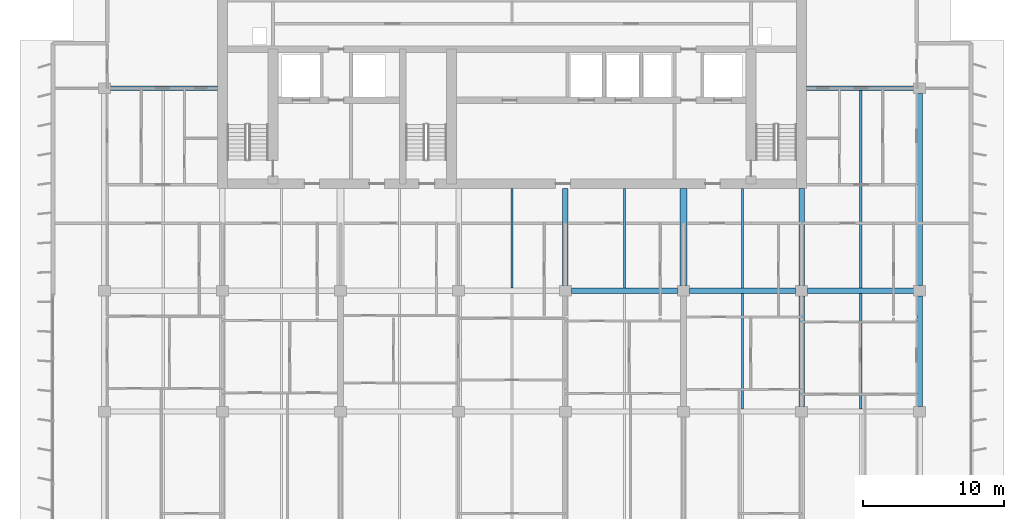
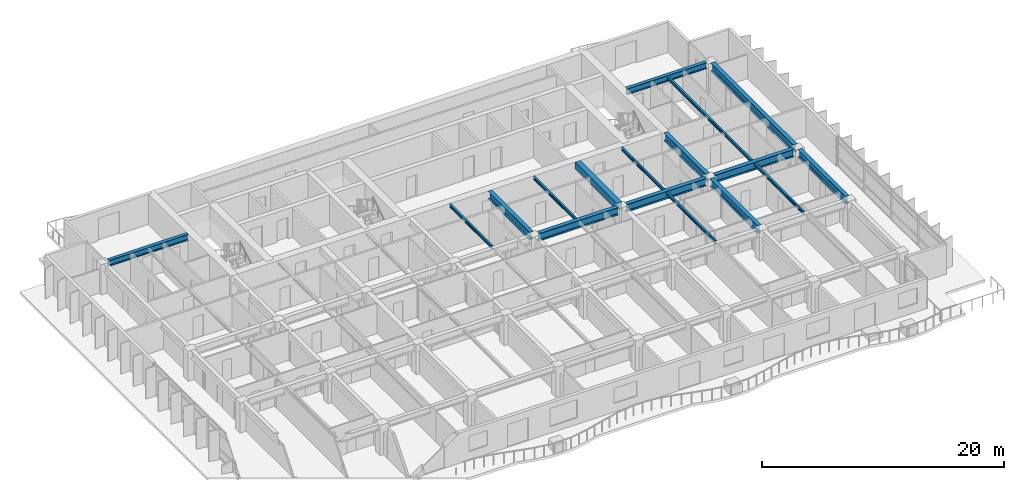
# One storey, part 4 of 17: 17 beams.
"""IFC4 building model written with IfcOpenShell, lengths in metres."""

import ifcopenshell
import ifcopenshell.guid

model = None  # the IFC model being written
_history = None  # IfcOwnerHistory: only IFC2X3 demands one
_inside = {}  # id of a spatial element -> (the spatial element, [elements in it])
_under = {}  # id of a project, library or spatial element -> (it, [spatial elements below it])
_declared = {}  # id of a project -> (the project, [libraries it declares])
_typed = {}  # id of a type object -> (the type object, [elements of that type])
_made_of = {}  # id of a material, layer set ... -> (it, [elements and type objects made of it])


def new_model(schema):
    """Start an empty IFC model of exactly this schema.

    Asked for "IFC4X3", IfcOpenShell would pick the latest addendum, in which some entities
    have other attributes; the version numbers below select the first issue.
    IFC2X3 requires an IfcOwnerHistory on every rooted entity: one is made here for all.
    """
    global model, _history
    if schema == "IFC4X3":
        model = ifcopenshell.file(schema_version=(4, 3, 0, 0))
    else:
        model = ifcopenshell.file(schema=schema)
    _inside.clear()
    _under.clear()
    _declared.clear()
    _typed.clear()
    _made_of.clear()
    _history = None
    if model.schema == "IFC2X3":
        org = make("IfcOrganization", Name="unknown")
        user = make(
            "IfcPersonAndOrganization",
            ThePerson=make("IfcPerson", FamilyName="unknown"),
            TheOrganization=org,
        )
        app = make(
            "IfcApplication",
            ApplicationDeveloper=org,
            Version="unknown",
            ApplicationFullName="unknown",
            ApplicationIdentifier="unknown",
        )
        _history = make(
            "IfcOwnerHistory",
            OwningUser=user,
            OwningApplication=app,
            ChangeAction="ADDED",
            CreationDate=0,
        )
    return model


def make(cls, **values):
    """One entity of the class cls with the attributes given. An attribute that is None is left unset."""
    return model.create_entity(
        cls, **{name: value for name, value in values.items() if value is not None}
    )


def rooted(cls, **values):
    """An entity with a GlobalId (a new one), such as an element, a storey or a relation."""
    return make(cls, GlobalId=ifcopenshell.guid.new(), OwnerHistory=_history, **values)


def si_unit(unit_type, name, prefix=None):
    """IfcSIUnit, for example si_unit("LENGTHUNIT", "METRE", prefix="MILLI")."""
    return make("IfcSIUnit", UnitType=unit_type, Prefix=prefix, Name=name)


def assignment(units):
    """IfcUnitAssignment: the units of a project."""
    return None if units is None else make("IfcUnitAssignment", Units=units)


def point(xyz):
    """IfcCartesianPoint."""
    return None if xyz is None else make("IfcCartesianPoint", Coordinates=xyz)


def direction(xyz):
    """IfcDirection."""
    return None if xyz is None else make("IfcDirection", DirectionRatios=xyz)


def frame(location, z_axis=None, x_axis=None):
    """IfcAxis2Placement3D, a coordinate frame: its origin and axes. An axis left out is left unset."""
    return make(
        "IfcAxis2Placement3D",
        Location=point(location),
        Axis=direction(z_axis),
        RefDirection=direction(x_axis),
    )


def frame_2d(location, x_axis=None):
    """IfcAxis2Placement2D, a coordinate frame in the plane: its origin and x axis."""
    return make(
        "IfcAxis2Placement2D", Location=point(location), RefDirection=direction(x_axis)
    )


def origin():
    """The frame at (0, 0, 0) with its axes left unset."""
    return frame((0.0, 0.0, 0.0))


def origin_2d():
    """The frame at (0, 0) in the plane with its x axis left unset."""
    return frame_2d((0.0, 0.0))


def place(relative_to, where):
    """IfcLocalPlacement: puts the frame where relative to a parent placement (None: the world)."""
    return make(
        "IfcLocalPlacement", PlacementRelTo=relative_to, RelativePlacement=where
    )


def context(
    kind, dimensions, precision=None, world=None, true_north=None, identifier=None
):
    """IfcGeometricRepresentationContext, for example the 3D "Model" context."""
    return make(
        "IfcGeometricRepresentationContext",
        ContextIdentifier=identifier,
        ContextType=kind,
        CoordinateSpaceDimension=dimensions,
        Precision=precision,
        WorldCoordinateSystem=world,
        TrueNorth=true_north,
    )


def subcontext(parent, identifier, kind, view, scale=None):
    """IfcGeometricRepresentationSubContext, for example "Body" below "Model"."""
    return make(
        "IfcGeometricRepresentationSubContext",
        ContextIdentifier=identifier,
        ContextType=kind,
        ParentContext=parent,
        TargetScale=scale,
        TargetView=view,
    )


def project(units=None, contexts=None):
    """IfcProject with its units and contexts."""
    return rooted(
        "IfcProject",
        Name="project",
        RepresentationContexts=contexts,
        UnitsInContext=assignment(units),
    )


def spatial(cls, under=None, at=None, **own):
    """A site, building, storey or space (cls), placed at a placement, below another one or the project."""
    s = rooted(cls, ObjectPlacement=at, **own)
    if under is not None:
        _under.setdefault(under.id(), (under, []))[1].append(s)
    return s


def profile(cls, at=None, kind="AREA", **sizes):
    """A parametric profile (cls). Its sizes go by their IFC names, for example OverallWidth=200.0."""
    return make(cls, ProfileType=kind, Position=at, **sizes)


def rectangle(**sizes):
    """IfcRectangleProfileDef."""
    return profile("IfcRectangleProfileDef", **sizes)


def i_section(**sizes):
    """IfcIShapeProfileDef."""
    return profile("IfcIShapeProfileDef", **sizes)


def extrude(swept, where, along, depth):
    """IfcExtrudedAreaSolid: the profile swept, set in the frame where, extruded along a direction by depth."""
    return make(
        "IfcExtrudedAreaSolid",
        SweptArea=swept,
        Position=where,
        ExtrudedDirection=direction(along),
        Depth=depth,
    )


def shape(context_of_items, identifier, shape_type, items):
    """IfcShapeRepresentation: the items that make up one representation, for example the "Body"."""
    return make(
        "IfcShapeRepresentation",
        ContextOfItems=context_of_items,
        RepresentationIdentifier=identifier,
        RepresentationType=shape_type,
        Items=items,
    )


def material(Name=None, Category=None):
    """IfcMaterial."""
    return make("IfcMaterial", Name=Name, Category=Category)


def material_profile(
    of_material, cross_section, Name=None, Category=None, Priority=None
):
    """IfcMaterialProfile: a cross section and its material."""
    return make(
        "IfcMaterialProfile",
        Name=Name,
        Material=of_material,
        Profile=cross_section,
        Priority=Priority,
        Category=Category,
    )


def profile_set(profiles, Name=None, composite=None):
    """IfcMaterialProfileSet."""
    return make(
        "IfcMaterialProfileSet",
        Name=Name,
        MaterialProfiles=profiles,
        CompositeProfile=composite,
    )


def made_of(thing, what):
    """Note that an element or type object is made of a material, layer set ...; save() writes the relation."""
    if what is not None:
        _made_of.setdefault(what.id(), (what, []))[1].append(thing)
    return thing


def type_object(cls, material=None, **own):
    """A type object (cls), such as IfcWallType, which elements share."""
    return made_of(rooted(cls, **own), material)


def element(
    cls,
    number,
    at=None,
    inside=None,
    cuts=None,
    type_object=None,
    material=None,
    context=None,
    identifier="Body",
    shape_type=None,
    held_by="IfcProductDefinitionShape",
    body=None,
    shapes=None,
    **own,
):
    """One element of the class cls, such as IfcWall. Its Tag is "e" and its number.

    at: its placement. inside: the storey or other place that contains it. cuts: it is an
    opening in that element (IfcRelVoidsElement). A single representation is given by context,
    identifier, shape_type and body (its items); several are given by shapes. held_by: the class
    of the entity that holds the representations. save() writes the other relations.
    """
    e = rooted(cls, Tag="e%d" % number, ObjectPlacement=at, **own)
    if body is not None:
        shapes = [shape(context, identifier, shape_type, body)]
    if shapes is not None:
        e.Representation = make(held_by, Representations=shapes)
    if inside is not None:
        _inside.setdefault(inside.id(), (inside, []))[1].append(e)
    if cuts is not None:
        rooted(
            "IfcRelVoidsElement", RelatingBuildingElement=cuts, RelatedOpeningElement=e
        )
    if type_object is not None:
        _typed.setdefault(type_object.id(), (type_object, []))[1].append(e)
    return made_of(e, material)


def aggregate(whole, parts):
    """IfcRelAggregates: a whole, such as a stair, and the parts it consists of."""
    return rooted("IfcRelAggregates", RelatingObject=whole, RelatedObjects=parts)


def save(model, path):
    """Write the relations noted so far, then the file.

    IfcRelAggregates (storeys below a building ...), IfcRelContainedInSpatialStructure (elements
    in a storey), IfcRelDefinesByType, IfcRelAssociatesMaterial and IfcRelDeclares: one each for
    every whole, place, type object, material and project.
    """
    for whole, parts in _under.values():
        aggregate(whole, parts)
    for where, things in _inside.values():
        rooted(
            "IfcRelContainedInSpatialStructure",
            RelatedElements=things,
            RelatingStructure=where,
        )
    for kind, things in _typed.values():
        rooted("IfcRelDefinesByType", RelatedObjects=things, RelatingType=kind)
    for what, things in _made_of.values():
        rooted("IfcRelAssociatesMaterial", RelatedObjects=things, RelatingMaterial=what)
    for by, libraries in _declared.values():
        rooted("IfcRelDeclares", RelatingContext=by, RelatedDefinitions=libraries)
    model.write(path)


model = new_model("IFC4")

# Units and contexts
model_context = context("Model", 3, precision=1e-05, world=origin(), true_north=direction((0.0, 1.0)))
body_context = subcontext(model_context, "Body", "Model", "MODEL_VIEW")
ifc_project = project(units=[si_unit("LENGTHUNIT", "METRE"), si_unit("AREAUNIT", "SQUARE_METRE"), si_unit("VOLUMEUNIT", "CUBIC_METRE"), si_unit("PLANEANGLEUNIT", "RADIAN"), si_unit("MASSUNIT", "GRAM", prefix="KILO")], contexts=[model_context])

# Site, building, storey
site_placement = place(None, origin())
site = spatial("IfcSite", under=ifc_project, at=site_placement, CompositionType="ELEMENT")
building_placement = place(site_placement, origin())
building = spatial("IfcBuilding", under=site, at=building_placement, Name="Caelmar Bay Residences", CompositionType="ELEMENT")
storey_placement = place(building_placement, frame((0.0, 0.0, 157.199951171875)))
storey = spatial("IfcBuildingStorey", under=building, at=storey_placement, Name="L43", CompositionType="ELEMENT", Elevation=157.199951171875)

# Beams
ifc_material_1 = material(Name="Steel ASTM A992 Grade 50", Category="steel")
ifc_material_profile_1 = material_profile(ifc_material_1, i_section(OverallWidth=0.381103515625, OverallDepth=0.77197265625, WebThickness=0.0166015625, FlangeThickness=0.027099609375, FilletRadius=0.0166015625, at=origin_2d()), Name="W30X173")
ifc_profile_set_1 = profile_set([ifc_material_profile_1], Name="Steel ASTM A992 Grade 50")
beam_type_1 = type_object("IfcBeamType", Name="BM-GRD-W30X173", PredefinedType="BEAM", material=ifc_profile_set_1)
for number, where, z_axis, x_axis, name in (
    (1, (43.114990234375, 29.39990234375, 2.6640625), (1.0, 0.0, 0.0), (0.0, 1.0, 0.0), "L43 East-West Girder Y=29.40 (42.7-51.1)"),
    (2, (51.514892578125, 29.39990234375, 2.6640625), (1.0, 0.0, 0.0), (0.0, 1.0, 0.0), "L43 East-West Girder Y=29.40 (51.1-59.5)"),
    (3, (59.9150390625, 29.39990234375, 2.6640625), (1.0, 0.0, 0.0), (0.0, 1.0, 0.0), "L43 East-West Girder Y=29.40 (59.5-67.9)"),
):
    element("IfcBeam", number, at=place(storey_placement, frame(where, z_axis=z_axis, x_axis=x_axis)), inside=storey, type_object=beam_type_1, Name=name, PredefinedType="BEAM", context=body_context, shape_type="SweptSolid", body=[
        extrude(i_section(OverallWidth=0.381103515625, OverallDepth=0.77197265625, WebThickness=0.0166015625, FlangeThickness=0.027099609375, FilletRadius=0.0166015625, at=origin_2d()), origin(), (0.0, 0.0, 1.0), 7.570068359375),
    ])
for number, where, z_axis, x_axis, name in (
    (4, (42.699951171875, 29.764892578125, 2.6640625), (0.0, 1.0, 0.0), (-1.0, 0.0, 0.0), "L43 Core Tie Girder X=42.70"),
    (5, (59.5, 29.764892578125, 2.6640625), (0.0, 1.0, 0.0), (-1.0, 0.0, 0.0), "L43 Core Tie Girder X=59.50"),
):
    element("IfcBeam", number, at=place(storey_placement, frame(where, z_axis=z_axis, x_axis=x_axis)), inside=storey, type_object=beam_type_1, Name=name, PredefinedType="BEAM", context=body_context, shape_type="SweptSolid", body=[
        extrude(i_section(OverallWidth=0.381103515625, OverallDepth=0.77197265625, WebThickness=0.0166015625, FlangeThickness=0.027099609375, FilletRadius=0.0166015625, at=origin_2d()), origin(), (0.0, 0.0, 1.0), 6.885009765625),
    ])
for number, where, z_axis, x_axis, name in (
    (6, (59.5, 21.1650390625, 2.6640625), (0.0, 1.0, 0.0), (-1.0, 0.0, 0.0), "L43 North-South Girder X=59.50 (20.8-29.4)"),
    (7, (67.89990234375, 21.1650390625, 2.6640625), (0.0, 1.0, 0.0), (-1.0, 0.0, 0.0), "L43 North-South Girder X=67.90 (20.8-29.4)"),
):
    element("IfcBeam", number, at=place(storey_placement, frame(where, z_axis=z_axis, x_axis=x_axis)), inside=storey, type_object=beam_type_1, Name=name, PredefinedType="BEAM", context=body_context, shape_type="SweptSolid", body=[
        extrude(i_section(OverallWidth=0.381103515625, OverallDepth=0.77197265625, WebThickness=0.0166015625, FlangeThickness=0.027099609375, FilletRadius=0.0166015625, at=origin_2d()), origin(), (0.0, 0.0, 1.0), 7.869873046875),
    ])
beam_1_placement = place(storey_placement, frame((67.89990234375, 29.764892578125, 2.6640625), z_axis=(0.0, 1.0, 0.0), x_axis=(-1.0, 0.0, 0.0)))
element("IfcBeam", 8, at=beam_1_placement, inside=storey, type_object=beam_type_1, Name="L43 North-South Girder X=67.90 (29.4-43.8)", PredefinedType="BEAM", context=body_context, shape_type="SweptSolid", body=[
    extrude(i_section(OverallWidth=0.381103515625, OverallDepth=0.77197265625, WebThickness=0.0166015625, FlangeThickness=0.027099609375, FilletRadius=0.0166015625, at=origin_2d()), origin(), (0.0, 0.0, 1.0), 13.670166015625),
])
ifc_material_profile_2 = material_profile(ifc_material_1, i_section(OverallWidth=0.1650390625, OverallDepth=0.31005859375, WebThickness=0.005859375, FlangeThickness=0.009765625, FilletRadius=0.007568359375, at=origin_2d()), Name="W12X26")
ifc_profile_set_2 = profile_set([ifc_material_profile_2], Name="Steel ASTM A992 Grade 50")
beam_type_2 = type_object("IfcBeamType", Name="BM-JST-W12X26", PredefinedType="JOIST", material=ifc_profile_set_2)
for number, where, z_axis, x_axis, name in (
    (9, (55.300048828125, 20.990478515625, 2.89501953125), (0.0, 1.0, 0.0), (-1.0, 0.0, 0.0), "L43 Composite Floor Joist 13"),
    (10, (63.699951171875, 20.990478515625, 2.89501953125), (0.0, 1.0, 0.0), (-1.0, 0.0, 0.0), "L43 Composite Floor Joist 14"),
):
    element("IfcBeam", number, at=place(storey_placement, frame(where, z_axis=z_axis, x_axis=x_axis)), inside=storey, type_object=beam_type_2, Name=name, PredefinedType="JOIST", context=body_context, shape_type="SweptSolid", body=[
        extrude(i_section(OverallWidth=0.1650390625, OverallDepth=0.31005859375, WebThickness=0.005859375, FlangeThickness=0.009765625, FilletRadius=0.007568359375, at=origin_2d()), origin(), (0.0, 0.0, 1.0), 8.218994140625),
    ])
for number, where, z_axis, x_axis, name in (
    (11, (38.89990234375, 29.590576171875, 2.89501953125), (0.0, 1.0, 0.0), (-1.0, 0.0, 0.0), "L43 Core-Band Composite Joist 17"),
    (12, (46.89990234375, 29.590576171875, 2.89501953125), (0.0, 1.0, 0.0), (-1.0, 0.0, 0.0), "L43 Core-Band Composite Joist 18"),
    (13, (55.300048828125, 29.590576171875, 2.89501953125), (0.0, 1.0, 0.0), (-1.0, 0.0, 0.0), "L43 Core-Band Composite Joist 19"),
):
    element("IfcBeam", number, at=place(storey_placement, frame(where, z_axis=z_axis, x_axis=x_axis)), inside=storey, type_object=beam_type_2, Name=name, PredefinedType="JOIST", context=body_context, shape_type="SweptSolid", body=[
        extrude(i_section(OverallWidth=0.1650390625, OverallDepth=0.31005859375, WebThickness=0.005859375, FlangeThickness=0.009765625, FilletRadius=0.007568359375, at=origin_2d()), origin(), (0.0, 0.0, 1.0), 7.059326171875),
    ])
beam_2_placement = place(storey_placement, frame((63.699951171875, 29.590576171875, 2.89501953125), z_axis=(0.0, 1.0, 0.0), x_axis=(-1.0, 0.0, 0.0)))
element("IfcBeam", 14, at=beam_2_placement, inside=storey, type_object=beam_type_2, Name="L43 Composite Floor Joist 21", PredefinedType="JOIST", context=body_context, shape_type="SweptSolid", body=[
    extrude(i_section(OverallWidth=0.1650390625, OverallDepth=0.31005859375, WebThickness=0.005859375, FlangeThickness=0.009765625, FilletRadius=0.007568359375, at=origin_2d()), origin(), (0.0, 0.0, 1.0), 14.046875),
])
ifc_material_2 = material(Name="Concrete f'c 55 MPa (8,000 psi)", Category="concrete")
ifc_material_profile_3 = material_profile(ifc_material_2, rectangle(XDim=0.5, YDim=0.699951171875, at=origin_2d()), Name="RC-BM-500X700")
ifc_profile_set_3 = profile_set([ifc_material_profile_3], Name="Concrete f'c 55 MPa (8,000 psi)")
beam_type_3 = type_object("IfcBeamType", Name="BM-RC-500X700", PredefinedType="LINTEL", material=ifc_profile_set_3)
beam_3_placement = place(storey_placement, frame((51.10009765625, 29.764892578125, 2.699951171875), z_axis=(0.0, 1.0, 0.0), x_axis=(-1.0, 0.0, 0.0)))
element("IfcBeam", 15, at=beam_3_placement, inside=storey, type_object=beam_type_3, Name="L43 Shear-Wall Corridor Coupling Lintel E8", PredefinedType="LINTEL", context=body_context, shape_type="SweptSolid", body=[
    extrude(rectangle(XDim=0.5, YDim=0.699951171875, at=origin_2d()), origin(), (0.0, 0.0, 1.0), 6.885009765625),
])
ifc_material_profile_4 = material_profile(ifc_material_1, i_section(OverallWidth=0.324951171875, OverallDepth=0.616943359375, WebThickness=0.013916015625, FlangeThickness=0.021484375, FilletRadius=0.0126953125, at=origin_2d()), Name="W24X117")
ifc_profile_set_4 = profile_set([ifc_material_profile_4], Name="Steel ASTM A992 Grade 50")
beam_type_4 = type_object("IfcBeamType", Name="BM-SPN-W24X117", PredefinedType="SPANDREL", material=ifc_profile_set_4)
for number, where, z_axis, x_axis, name in (
    (16, (10.31494140625, 43.800048828125, 2.741455078125), (1.0, 0.0, 0.0), (0.0, 1.0, 0.0), "L43 North-West Wing Core Tie Girder"),
    (17, (59.85009765625, 43.800048828125, 2.741455078125), (1.0, 0.0, 0.0), (0.0, 1.0, 0.0), "L43 North-East Wing Core Tie Girder"),
):
    element("IfcBeam", number, at=place(storey_placement, frame(where, z_axis=z_axis, x_axis=x_axis)), inside=storey, type_object=beam_type_4, Name=name, PredefinedType="SPANDREL", context=body_context, shape_type="SweptSolid", body=[
        extrude(i_section(OverallWidth=0.324951171875, OverallDepth=0.616943359375, WebThickness=0.013916015625, FlangeThickness=0.021484375, FilletRadius=0.0126953125, at=origin_2d()), origin(), (0.0, 0.0, 1.0), 7.635009765625),
    ])

save(model, "model.ifc")
